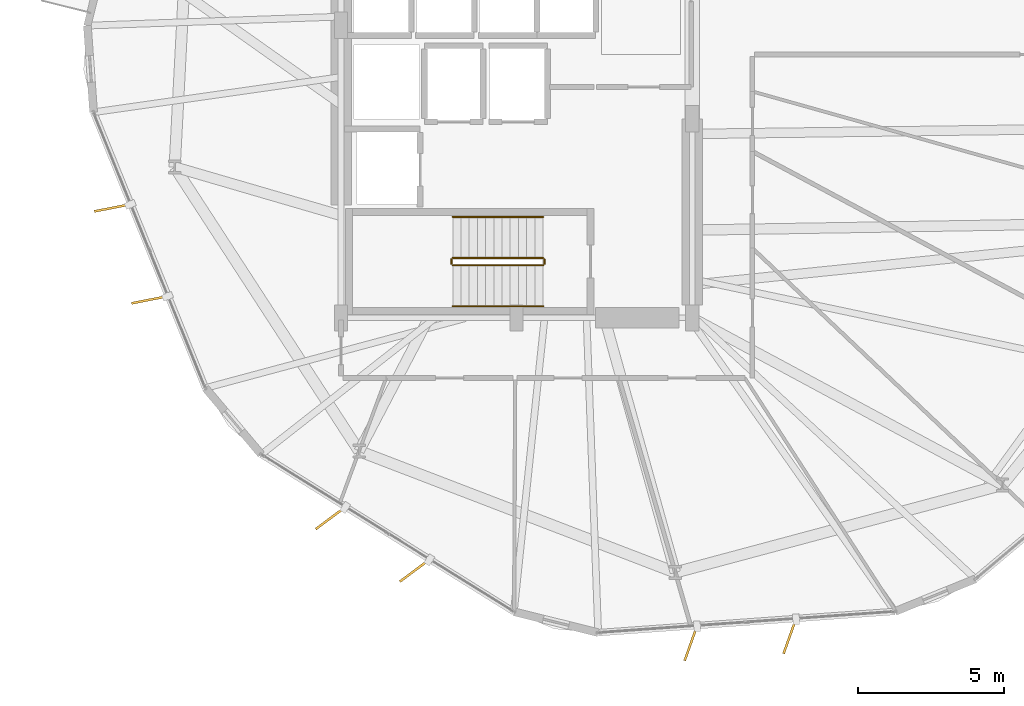
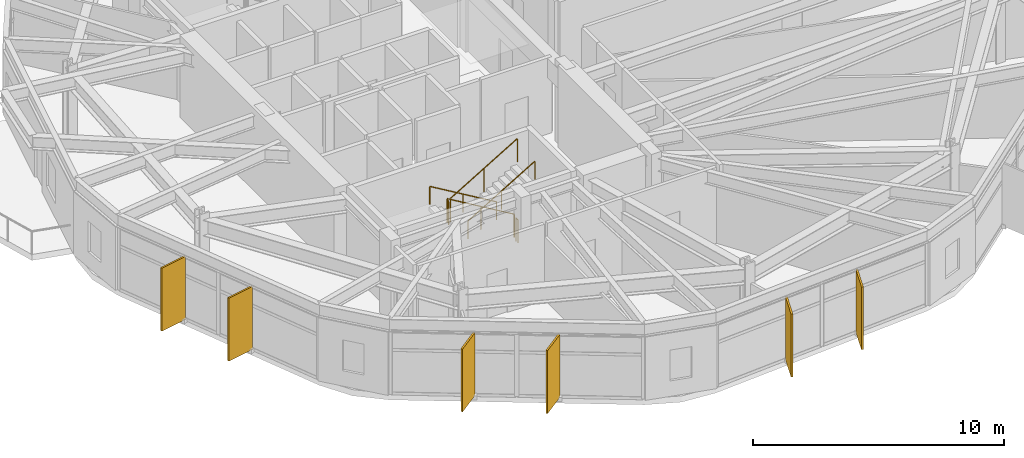
# One storey, part 20 of 22: 6 railings, 6 shading devices.
"""IFC4 building model written with IfcOpenShell, lengths in metres."""

from ifc_helpers import new_model, si_unit, direction, frame, origin, origin_2d, place, context, subcontext, project, spatial, rectangle, circle, extrude, material, layer, layer_set, type_object, element, save


model = new_model("IFC4")

# Units and contexts
model_context = context("Model", 3, precision=1e-05, world=origin(), true_north=direction((0.0, 1.0)))
body_context = subcontext(model_context, "Body", "Model", "MODEL_VIEW")
ifc_project = project(units=[si_unit("LENGTHUNIT", "METRE"), si_unit("AREAUNIT", "SQUARE_METRE"), si_unit("VOLUMEUNIT", "CUBIC_METRE"), si_unit("PLANEANGLEUNIT", "RADIAN"), si_unit("MASSUNIT", "GRAM", prefix="KILO")], contexts=[model_context])

# Site, building, storey
site_placement = place(None, origin())
site = spatial("IfcSite", under=ifc_project, at=site_placement, CompositionType="ELEMENT")
building_placement = place(site_placement, origin())
building = spatial("IfcBuilding", under=site, at=building_placement, Name="Soratama Intermodal Tower", CompositionType="ELEMENT")
storey_placement = place(building_placement, frame((0.0, 0.0, 42.60009765625)))
storey = spatial("IfcBuildingStorey", under=building, at=storey_placement, Name="L09", CompositionType="ELEMENT", Elevation=42.60009765625)

# Railings
ifc_material_1 = material(Name="Painted steel stair guardrail", Category="steel")
railing_type_1 = type_object("IfcRailingType", Name="RL-STAIR-GUARD", PredefinedType="GUARDRAIL", material=ifc_material_1)
railing_1_placement = place(storey_placement, frame((39.5, 17.050048828125, 0.16650390625)))
element("IfcRailing", 1, at=railing_1_placement, inside=storey, type_object=railing_type_1, Name="L09 ST-1 stair guard 1", PredefinedType="GUARDRAIL", context=body_context, shape_type="SweptSolid", body=[
    extrude(circle(Radius=0.02392578125, at=origin_2d()), frame((0.0, 0.0, 1.1259765625), z_axis=(-0.85927862911, 0.0, 0.511507807912), x_axis=(0.0, -1.0, 0.0)), (0.0, 0.0, 1.0), 3.58447265625),
    extrude(circle(Radius=0.02099609375, at=origin_2d()), origin(), (0.0, 0.0, 1.0), 1.101806640625),
    extrude(circle(Radius=0.02099609375, at=origin_2d()), frame((-1.5400390625, 0.0, 0.916748046875)), (0.0, 0.0, 1.0), 1.101806640625),
    extrude(circle(Radius=0.02099609375, at=origin_2d()), frame((-3.080078125, 0.0, 1.83349609375)), (0.0, 0.0, 1.0), 1.101806640625),
])
railing_2_placement = place(storey_placement, frame((36.3701171875, 17.0, 2.0)))
element("IfcRailing", 2, at=railing_2_placement, inside=storey, type_object=railing_type_1, Name="L09 ST-1 stair guard 2", PredefinedType="GUARDRAIL", context=body_context, shape_type="SweptSolid", body=[
    extrude(circle(Radius=0.02392578125, at=origin_2d()), frame((0.0, 0.0, 1.1259765625), z_axis=(0.0, -1.0, 0.0), x_axis=(1.0, 0.0, 0.0)), (0.0, 0.0, 1.0), 0.14990234375),
    extrude(circle(Radius=0.02099609375, at=origin_2d()), origin(), (0.0, 0.0, 1.0), 1.101806640625),
    extrude(circle(Radius=0.02099609375, at=origin_2d()), frame((0.0, -0.14990234375, 0.0)), (0.0, 0.0, 1.0), 1.101806640625),
])
railing_3_placement = place(storey_placement, frame((36.419921875, 16.800048828125, 2.16650390625)))
element("IfcRailing", 3, at=railing_3_placement, inside=storey, type_object=railing_type_1, Name="L09 ST-1 stair guard 3", PredefinedType="GUARDRAIL", context=body_context, shape_type="SweptSolid", body=[
    extrude(circle(Radius=0.02392578125, at=origin_2d()), frame((0.0, 0.0, 1.1259765625), z_axis=(0.85927862911, 0.0, 0.511507807912), x_axis=(0.0, 1.0, 0.0)), (0.0, 0.0, 1.0), 3.58447265625),
    extrude(circle(Radius=0.02099609375, at=origin_2d()), origin(), (0.0, 0.0, 1.0), 1.101806640625),
    extrude(circle(Radius=0.02099609375, at=origin_2d()), frame((1.5400390625, 0.0, 0.916748046875)), (0.0, 0.0, 1.0), 1.101806640625),
    extrude(circle(Radius=0.02099609375, at=origin_2d()), frame((3.080078125, 0.0, 1.83349609375)), (0.0, 0.0, 1.0), 1.101806640625),
])
railing_4_placement = place(storey_placement, frame((39.550048828125, 17.0, 0.0)))
element("IfcRailing", 4, at=railing_4_placement, inside=storey, type_object=railing_type_1, Name="L09 ST-1 stair guard 4", PredefinedType="GUARDRAIL", context=body_context, shape_type="SweptSolid", body=[
    extrude(circle(Radius=0.02392578125, at=origin_2d()), frame((0.0, 0.0, 1.1259765625), z_axis=(0.0, -1.0, 0.0), x_axis=(1.0, 0.0, 0.0)), (0.0, 0.0, 1.0), 0.14990234375),
    extrude(circle(Radius=0.02099609375, at=origin_2d()), origin(), (0.0, 0.0, 1.0), 1.101806640625),
    extrude(circle(Radius=0.02099609375, at=origin_2d()), frame((0.0, -0.14990234375, 0.0)), (0.0, 0.0, 1.0), 1.101806640625),
])
ifc_material_2 = material(Name="Brushed stainless steel handrail", Category="steel")
railing_type_2 = type_object("IfcRailingType", Name="RL-STAIR-HAND", PredefinedType="HANDRAIL", material=ifc_material_2)
railing_5_placement = place(storey_placement, frame((39.5, 18.449951171875, 0.16650390625)))
element("IfcRailing", 5, at=railing_5_placement, inside=storey, type_object=railing_type_2, Name="L09 ST-1 stair handrail 1", PredefinedType="HANDRAIL", context=body_context, shape_type="SweptSolid", body=[
    extrude(circle(Radius=0.02392578125, at=origin_2d()), frame((0.0, 0.0, 0.8759765625), z_axis=(-0.85927862911, 0.0, 0.511507807912), x_axis=(0.0, -1.0, 0.0)), (0.0, 0.0, 1.0), 3.58447265625),
    extrude(circle(Radius=0.02099609375, at=origin_2d()), origin(), (0.0, 0.0, 1.0), 0.851806640625),
    extrude(circle(Radius=0.02099609375, at=origin_2d()), frame((-1.5400390625, 0.0, 0.916748046875)), (0.0, 0.0, 1.0), 0.851806640625),
    extrude(circle(Radius=0.02099609375, at=origin_2d()), frame((-3.080078125, 0.0, 1.83349609375)), (0.0, 0.0, 1.0), 0.851806640625),
])
railing_6_placement = place(storey_placement, frame((36.419921875, 15.39990234375, 2.16650390625)))
element("IfcRailing", 6, at=railing_6_placement, inside=storey, type_object=railing_type_2, Name="L09 ST-1 stair handrail 2", PredefinedType="HANDRAIL", context=body_context, shape_type="SweptSolid", body=[
    extrude(circle(Radius=0.02392578125, at=origin_2d()), frame((0.0, 0.0, 0.8759765625), z_axis=(0.85927862911, 0.0, 0.511507807912), x_axis=(0.0, 1.0, 0.0)), (0.0, 0.0, 1.0), 3.58447265625),
    extrude(circle(Radius=0.02099609375, at=origin_2d()), origin(), (0.0, 0.0, 1.0), 0.851806640625),
    extrude(circle(Radius=0.02099609375, at=origin_2d()), frame((1.5400390625, 0.0, 0.916748046875)), (0.0, 0.0, 1.0), 0.851806640625),
    extrude(circle(Radius=0.02099609375, at=origin_2d()), frame((3.080078125, 0.0, 1.83349609375)), (0.0, 0.0, 1.0), 0.851806640625),
])

# Shading devices
ifc_material_3 = material(Name="Champagne anodised aluminium solar fin", Category="aluminium")
ifc_layer = layer(ifc_material_3, 0.080078125)
ifc_layer_set = layer_set([ifc_layer], Name="Champagne anodised aluminium solar fin")
shading_device_type = type_object("IfcShadingDeviceType", Name="SH-FIN-1250", PredefinedType="USERDEFINED", material=ifc_layer_set)
for number, where, z_axis, x_axis, name in (
    (7, (24.787109375, 18.760498046875, 0.019775390625), (0.0, 0.0, 1.0), (-0.981022896164, -0.193891921448, 0.0), "L09 Solar Fin F06-1"),
    (8, (26.060791015625, 15.62060546875, 0.019775390625), (0.0, 0.0, 1.0), (-0.981022896164, -0.193891921448, 0.0), "L09 Solar Fin F06-2"),
    (9, (32.236083984375, 8.158935546875, 0.019775390625), (0.0, 0.0, 1.0), (-0.801775644244, -0.597625146976, 0.0), "L09 Solar Fin F07-1"),
    (10, (35.112060546875, 6.3671875, 0.019775390625), (0.0, 0.0, 1.0), (-0.801775644244, -0.597625146976, 0.0), "L09 Solar Fin F07-2"),
    (11, (44.548095703125, 3.881103515625, 0.019775390625), (0.0, 0.0, 1.0), (-0.335780389393, -0.941940300709, 0.0), "L09 Solar Fin F08-1"),
    (12, (47.927734375, 4.1220703125, 0.019775390625), (0.0, 0.0, 1.0), (-0.335780389393, -0.941940300709, 0.0), "L09 Solar Fin F08-2"),
):
    element("IfcShadingDevice", number, at=place(storey_placement, frame(where, z_axis=z_axis, x_axis=x_axis)), inside=storey, type_object=shading_device_type, Name=name, ObjectType="FIN", PredefinedType="USERDEFINED", context=body_context, shape_type="SweptSolid", body=[
        extrude(rectangle(XDim=1.25, YDim=0.080078125, at=origin_2d()), origin(), (0.0, 0.0, 1.0), 3.05908203125),
    ])

save(model, "model.ifc")
